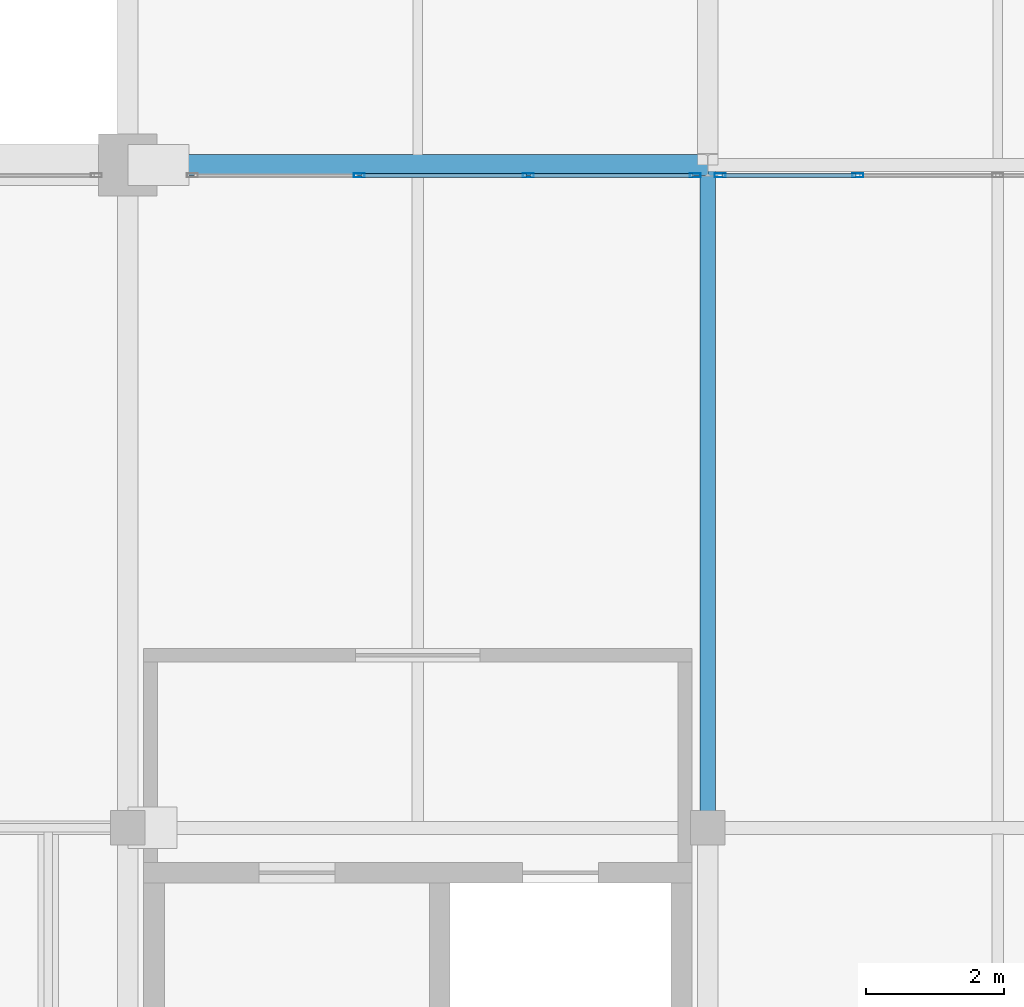
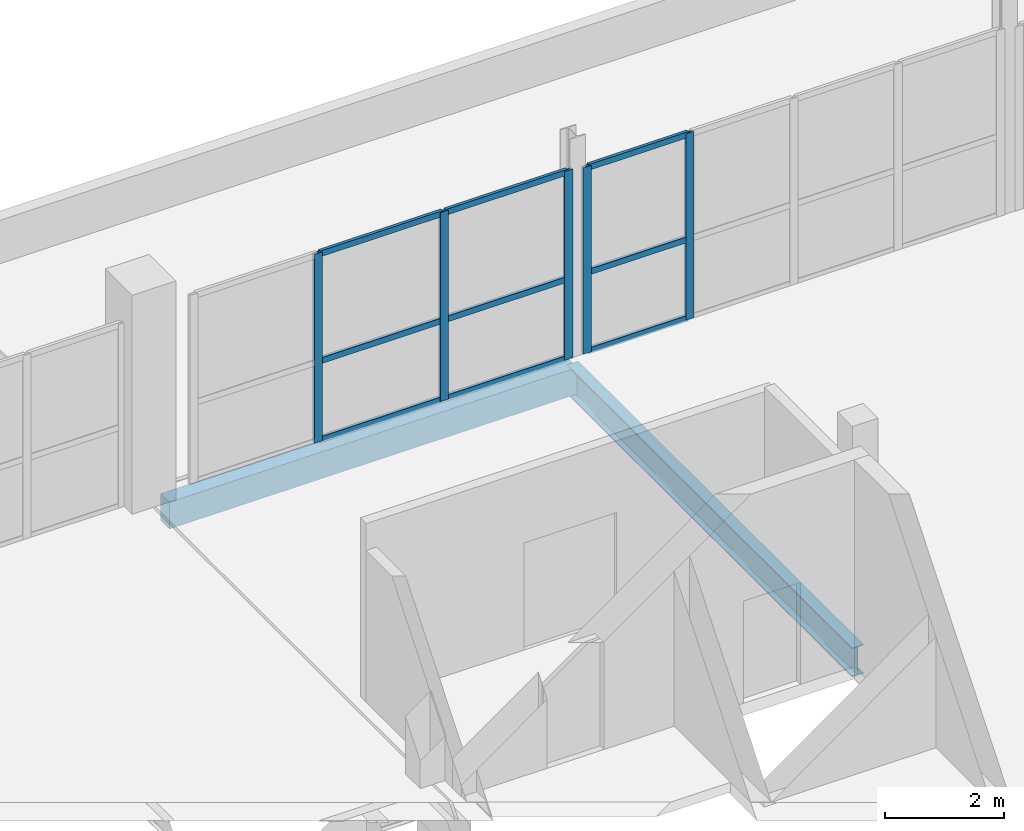
# One storey, part 50 of 103: 14 members, 2 beams, 2 elements without a shape of their own.
"""IFC4 building model written with IfcOpenShell, lengths in metres."""

import ifcopenshell
import ifcopenshell.guid

model = None  # the IFC model being written
_history = None  # IfcOwnerHistory: only IFC2X3 demands one
_inside = {}  # id of a spatial element -> (the spatial element, [elements in it])
_under = {}  # id of a project, library or spatial element -> (it, [spatial elements below it])
_declared = {}  # id of a project -> (the project, [libraries it declares])
_typed = {}  # id of a type object -> (the type object, [elements of that type])
_made_of = {}  # id of a material, layer set ... -> (it, [elements and type objects made of it])


def new_model(schema):
    """Start an empty IFC model of exactly this schema.

    Asked for "IFC4X3", IfcOpenShell would pick the latest addendum, in which some entities
    have other attributes; the version numbers below select the first issue.
    IFC2X3 requires an IfcOwnerHistory on every rooted entity: one is made here for all.
    """
    global model, _history
    if schema == "IFC4X3":
        model = ifcopenshell.file(schema_version=(4, 3, 0, 0))
    else:
        model = ifcopenshell.file(schema=schema)
    _inside.clear()
    _under.clear()
    _declared.clear()
    _typed.clear()
    _made_of.clear()
    _history = None
    if model.schema == "IFC2X3":
        org = make("IfcOrganization", Name="unknown")
        user = make(
            "IfcPersonAndOrganization",
            ThePerson=make("IfcPerson", FamilyName="unknown"),
            TheOrganization=org,
        )
        app = make(
            "IfcApplication",
            ApplicationDeveloper=org,
            Version="unknown",
            ApplicationFullName="unknown",
            ApplicationIdentifier="unknown",
        )
        _history = make(
            "IfcOwnerHistory",
            OwningUser=user,
            OwningApplication=app,
            ChangeAction="ADDED",
            CreationDate=0,
        )
    return model


def make(cls, **values):
    """One entity of the class cls with the attributes given. An attribute that is None is left unset."""
    return model.create_entity(
        cls, **{name: value for name, value in values.items() if value is not None}
    )


def rooted(cls, **values):
    """An entity with a GlobalId (a new one), such as an element, a storey or a relation."""
    return make(cls, GlobalId=ifcopenshell.guid.new(), OwnerHistory=_history, **values)


def si_unit(unit_type, name, prefix=None):
    """IfcSIUnit, for example si_unit("LENGTHUNIT", "METRE", prefix="MILLI")."""
    return make("IfcSIUnit", UnitType=unit_type, Prefix=prefix, Name=name)


def assignment(units):
    """IfcUnitAssignment: the units of a project."""
    return None if units is None else make("IfcUnitAssignment", Units=units)


def point(xyz):
    """IfcCartesianPoint."""
    return None if xyz is None else make("IfcCartesianPoint", Coordinates=xyz)


def direction(xyz):
    """IfcDirection."""
    return None if xyz is None else make("IfcDirection", DirectionRatios=xyz)


def frame(location, z_axis=None, x_axis=None):
    """IfcAxis2Placement3D, a coordinate frame: its origin and axes. An axis left out is left unset."""
    return make(
        "IfcAxis2Placement3D",
        Location=point(location),
        Axis=direction(z_axis),
        RefDirection=direction(x_axis),
    )


def frame_2d(location, x_axis=None):
    """IfcAxis2Placement2D, a coordinate frame in the plane: its origin and x axis."""
    return make(
        "IfcAxis2Placement2D", Location=point(location), RefDirection=direction(x_axis)
    )


def origin():
    """The frame at (0, 0, 0) with its axes left unset."""
    return frame((0.0, 0.0, 0.0))


def origin_2d():
    """The frame at (0, 0) in the plane with its x axis left unset."""
    return frame_2d((0.0, 0.0))


def place(relative_to, where):
    """IfcLocalPlacement: puts the frame where relative to a parent placement (None: the world)."""
    return make(
        "IfcLocalPlacement", PlacementRelTo=relative_to, RelativePlacement=where
    )


def context(
    kind, dimensions, precision=None, world=None, true_north=None, identifier=None
):
    """IfcGeometricRepresentationContext, for example the 3D "Model" context."""
    return make(
        "IfcGeometricRepresentationContext",
        ContextIdentifier=identifier,
        ContextType=kind,
        CoordinateSpaceDimension=dimensions,
        Precision=precision,
        WorldCoordinateSystem=world,
        TrueNorth=true_north,
    )


def subcontext(parent, identifier, kind, view, scale=None):
    """IfcGeometricRepresentationSubContext, for example "Body" below "Model"."""
    return make(
        "IfcGeometricRepresentationSubContext",
        ContextIdentifier=identifier,
        ContextType=kind,
        ParentContext=parent,
        TargetScale=scale,
        TargetView=view,
    )


def project(units=None, contexts=None):
    """IfcProject with its units and contexts."""
    return rooted(
        "IfcProject",
        Name="project",
        RepresentationContexts=contexts,
        UnitsInContext=assignment(units),
    )


def spatial(cls, under=None, at=None, **own):
    """A site, building, storey or space (cls), placed at a placement, below another one or the project."""
    s = rooted(cls, ObjectPlacement=at, **own)
    if under is not None:
        _under.setdefault(under.id(), (under, []))[1].append(s)
    return s


def profile(cls, at=None, kind="AREA", **sizes):
    """A parametric profile (cls). Its sizes go by their IFC names, for example OverallWidth=200.0."""
    return make(cls, ProfileType=kind, Position=at, **sizes)


def rectangle(**sizes):
    """IfcRectangleProfileDef."""
    return profile("IfcRectangleProfileDef", **sizes)


def hollow_rectangle(**sizes):
    """IfcRectangleHollowProfileDef."""
    return profile("IfcRectangleHollowProfileDef", **sizes)


def i_section(**sizes):
    """IfcIShapeProfileDef."""
    return profile("IfcIShapeProfileDef", **sizes)


def extrude(swept, where, along, depth):
    """IfcExtrudedAreaSolid: the profile swept, set in the frame where, extruded along a direction by depth."""
    return make(
        "IfcExtrudedAreaSolid",
        SweptArea=swept,
        Position=where,
        ExtrudedDirection=direction(along),
        Depth=depth,
    )


def shape(context_of_items, identifier, shape_type, items):
    """IfcShapeRepresentation: the items that make up one representation, for example the "Body"."""
    return make(
        "IfcShapeRepresentation",
        ContextOfItems=context_of_items,
        RepresentationIdentifier=identifier,
        RepresentationType=shape_type,
        Items=items,
    )


def material(Name=None, Category=None):
    """IfcMaterial."""
    return make("IfcMaterial", Name=Name, Category=Category)


def material_profile(
    of_material, cross_section, Name=None, Category=None, Priority=None
):
    """IfcMaterialProfile: a cross section and its material."""
    return make(
        "IfcMaterialProfile",
        Name=Name,
        Material=of_material,
        Profile=cross_section,
        Priority=Priority,
        Category=Category,
    )


def profile_set(profiles, Name=None, composite=None):
    """IfcMaterialProfileSet."""
    return make(
        "IfcMaterialProfileSet",
        Name=Name,
        MaterialProfiles=profiles,
        CompositeProfile=composite,
    )


def made_of(thing, what):
    """Note that an element or type object is made of a material, layer set ...; save() writes the relation."""
    if what is not None:
        _made_of.setdefault(what.id(), (what, []))[1].append(thing)
    return thing


def type_object(cls, material=None, **own):
    """A type object (cls), such as IfcWallType, which elements share."""
    return made_of(rooted(cls, **own), material)


def element(
    cls,
    number,
    at=None,
    inside=None,
    cuts=None,
    type_object=None,
    material=None,
    context=None,
    identifier="Body",
    shape_type=None,
    held_by="IfcProductDefinitionShape",
    body=None,
    shapes=None,
    **own,
):
    """One element of the class cls, such as IfcWall. Its Tag is "e" and its number.

    at: its placement. inside: the storey or other place that contains it. cuts: it is an
    opening in that element (IfcRelVoidsElement). A single representation is given by context,
    identifier, shape_type and body (its items); several are given by shapes. held_by: the class
    of the entity that holds the representations. save() writes the other relations.
    """
    e = rooted(cls, Tag="e%d" % number, ObjectPlacement=at, **own)
    if body is not None:
        shapes = [shape(context, identifier, shape_type, body)]
    if shapes is not None:
        e.Representation = make(held_by, Representations=shapes)
    if inside is not None:
        _inside.setdefault(inside.id(), (inside, []))[1].append(e)
    if cuts is not None:
        rooted(
            "IfcRelVoidsElement", RelatingBuildingElement=cuts, RelatedOpeningElement=e
        )
    if type_object is not None:
        _typed.setdefault(type_object.id(), (type_object, []))[1].append(e)
    return made_of(e, material)


def aggregate(whole, parts):
    """IfcRelAggregates: a whole, such as a stair, and the parts it consists of."""
    return rooted("IfcRelAggregates", RelatingObject=whole, RelatedObjects=parts)


def save(model, path):
    """Write the relations noted so far, then the file.

    IfcRelAggregates (storeys below a building ...), IfcRelContainedInSpatialStructure (elements
    in a storey), IfcRelDefinesByType, IfcRelAssociatesMaterial and IfcRelDeclares: one each for
    every whole, place, type object, material and project.
    """
    for whole, parts in _under.values():
        aggregate(whole, parts)
    for where, things in _inside.values():
        rooted(
            "IfcRelContainedInSpatialStructure",
            RelatedElements=things,
            RelatingStructure=where,
        )
    for kind, things in _typed.values():
        rooted("IfcRelDefinesByType", RelatedObjects=things, RelatingType=kind)
    for what, things in _made_of.values():
        rooted("IfcRelAssociatesMaterial", RelatedObjects=things, RelatingMaterial=what)
    for by, libraries in _declared.values():
        rooted("IfcRelDeclares", RelatingContext=by, RelatedDefinitions=libraries)
    model.write(path)


model = new_model("IFC4")

# Units and contexts
model_context = context("Model", 3, precision=1e-05, world=origin(), true_north=direction((0.0, 1.0)))
body_context = subcontext(model_context, "Body", "Model", "MODEL_VIEW")
ifc_project = project(units=[si_unit("LENGTHUNIT", "METRE"), si_unit("AREAUNIT", "SQUARE_METRE"), si_unit("VOLUMEUNIT", "CUBIC_METRE"), si_unit("PLANEANGLEUNIT", "RADIAN"), si_unit("MASSUNIT", "GRAM", prefix="KILO")], contexts=[model_context])

# Site, building, storey
site_placement = place(None, origin())
site = spatial("IfcSite", under=ifc_project, at=site_placement, CompositionType="ELEMENT")
building_placement = place(site_placement, origin())
building = spatial("IfcBuilding", under=site, at=building_placement, Name="Veltarok Museum of Natural Sciences", CompositionType="ELEMENT")
storey_placement = place(building_placement, frame((0.0, 0.0, 21.89990234375)))
storey = spatial("IfcBuildingStorey", under=building, at=storey_placement, Name="L04", CompositionType="ELEMENT", Elevation=21.89990234375)

# Curtain wall, members
ifc_material_1 = material(Name="Low-iron triple insulated glass", Category="glass")
curtain_wall_type_1 = type_object("IfcCurtainWallType", Name="Curtain Wall System CW-V5CN4-L04-0-734x388 (CW-V5CN4 L04 734x388cm)", PredefinedType="NOTDEFINED", material=ifc_material_1)
curtain_wall_1_placement = place(storey_placement, origin())
curtain_wall_1 = element("IfcCurtainWall", 1, at=curtain_wall_1_placement, inside=storey, type_object=curtain_wall_type_1, Name="Curtain Wall CW-V5CN4-L04-0-734x388 CW-0196", PredefinedType="NOTDEFINED")
ifc_material_2 = material(Name="Thermally broken anodised aluminium", Category="aluminium")
ifc_material_profile_1 = material_profile(ifc_material_2, hollow_rectangle(XDim=0.06005859375, YDim=0.1201171875, WallThickness=0.0048828125, at=origin_2d()), Name="CW TRANSOM 60x120x5")
ifc_profile_set_1 = profile_set([ifc_material_profile_1], Name="Thermally broken anodised aluminium")
member_type_1 = type_object("IfcMemberType", Name="Curtain Wall Horizontal Transom 60x120x5", PredefinedType="USERDEFINED", material=ifc_profile_set_1)
member_1_placement = place(storey_placement, frame((115.389892578125, 19.050048828125, 0.028076171875), z_axis=(-1.0, 0.0, 0.0), x_axis=(0.0, -1.0, 0.0)))
member_1 = element("IfcMember", 2, at=member_1_placement, type_object=member_type_1, Name="CW-V5CN4-L04-0-734x388 transom 1.1", ObjectType="TRANSOM", PredefinedType="USERDEFINED", context=body_context, shape_type="SweptSolid", body=[
    extrude(hollow_rectangle(XDim=0.06005859375, YDim=0.1201171875, WallThickness=0.0048828125, at=origin_2d()), origin(), (0.0, 0.0, 1.0), 2.358154296875),
])
member_2_placement = place(storey_placement, frame((115.389892578125, 19.050048828125, 1.648193359375), z_axis=(-1.0, 0.0, 0.0), x_axis=(0.0, -1.0, 0.0)))
member_2 = element("IfcMember", 3, at=member_2_placement, type_object=member_type_1, Name="CW-V5CN4-L04-0-734x388 transom 1.2", ObjectType="TRANSOM", PredefinedType="USERDEFINED", context=body_context, shape_type="SweptSolid", body=[
    extrude(hollow_rectangle(XDim=0.06005859375, YDim=0.1201171875, WallThickness=0.0048828125, at=origin_2d()), origin(), (0.0, 0.0, 1.0), 2.358154296875),
])
member_3_placement = place(storey_placement, frame((115.389892578125, 19.050048828125, 3.85009765625), z_axis=(-1.0, 0.0, 0.0), x_axis=(0.0, -1.0, 0.0)))
member_3 = element("IfcMember", 4, at=member_3_placement, type_object=member_type_1, Name="CW-V5CN4-L04-0-734x388 transom 1.3", ObjectType="TRANSOM", PredefinedType="USERDEFINED", context=body_context, shape_type="SweptSolid", body=[
    extrude(hollow_rectangle(XDim=0.06005859375, YDim=0.1201171875, WallThickness=0.0048828125, at=origin_2d()), origin(), (0.0, 0.0, 1.0), 2.358154296875),
])
member_4_placement = place(storey_placement, frame((112.9716796875, 19.050048828125, 0.028076171875), z_axis=(-1.0, 0.0, 0.0), x_axis=(0.0, -1.0, 0.0)))
member_4 = element("IfcMember", 5, at=member_4_placement, type_object=member_type_1, Name="CW-V5CN4-L04-0-734x388 transom 2.1", ObjectType="TRANSOM", PredefinedType="USERDEFINED", context=body_context, shape_type="SweptSolid", body=[
    extrude(hollow_rectangle(XDim=0.06005859375, YDim=0.1201171875, WallThickness=0.0048828125, at=origin_2d()), origin(), (0.0, 0.0, 1.0), 2.388427734375),
])
member_5_placement = place(storey_placement, frame((112.9716796875, 19.050048828125, 1.648193359375), z_axis=(-1.0, 0.0, 0.0), x_axis=(0.0, -1.0, 0.0)))
member_5 = element("IfcMember", 6, at=member_5_placement, type_object=member_type_1, Name="CW-V5CN4-L04-0-734x388 transom 2.2", ObjectType="TRANSOM", PredefinedType="USERDEFINED", context=body_context, shape_type="SweptSolid", body=[
    extrude(hollow_rectangle(XDim=0.06005859375, YDim=0.1201171875, WallThickness=0.0048828125, at=origin_2d()), origin(), (0.0, 0.0, 1.0), 2.388427734375),
])
member_6_placement = place(storey_placement, frame((112.9716796875, 19.050048828125, 3.85009765625), z_axis=(-1.0, 0.0, 0.0), x_axis=(0.0, -1.0, 0.0)))
member_6 = element("IfcMember", 7, at=member_6_placement, type_object=member_type_1, Name="CW-V5CN4-L04-0-734x388 transom 2.3", ObjectType="TRANSOM", PredefinedType="USERDEFINED", context=body_context, shape_type="SweptSolid", body=[
    extrude(hollow_rectangle(XDim=0.06005859375, YDim=0.1201171875, WallThickness=0.0048828125, at=origin_2d()), origin(), (0.0, 0.0, 1.0), 2.388427734375),
])

curtain_wall_type_2 = type_object("IfcCurtainWallType", Name="Curtain Wall System CW-V5CN4-L04-1-810x383 (CW-V5CN4 L04 810x383cm)", PredefinedType="NOTDEFINED", material=ifc_material_1)
curtain_wall_2_placement = place(storey_placement, origin())
curtain_wall_2 = element("IfcCurtainWall", 8, at=curtain_wall_2_placement, inside=storey, type_object=curtain_wall_type_2, Name="Curtain Wall CW-V5CN4-L04-1-810x383 CW-0197", PredefinedType="NOTDEFINED")
member_7_placement = place(storey_placement, frame((117.7451171875, 19.050048828125, 0.028076171875), z_axis=(-1.0, 0.0, 0.0), x_axis=(0.0, -1.0, 0.0)))
member_7 = element("IfcMember", 9, at=member_7_placement, type_object=member_type_1, Name="CW-V5CN4-L04-1-810x383 transom 4.1", ObjectType="TRANSOM", PredefinedType="USERDEFINED", context=body_context, shape_type="SweptSolid", body=[
    extrude(hollow_rectangle(XDim=0.06005859375, YDim=0.1201171875, WallThickness=0.0048828125, at=origin_2d()), origin(), (0.0, 0.0, 1.0), 1.93505859375),
])
member_8_placement = place(storey_placement, frame((117.7451171875, 19.050048828125, 1.648193359375), z_axis=(-1.0, 0.0, 0.0), x_axis=(0.0, -1.0, 0.0)))
member_8 = element("IfcMember", 10, at=member_8_placement, type_object=member_type_1, Name="CW-V5CN4-L04-1-810x383 transom 4.2", ObjectType="TRANSOM", PredefinedType="USERDEFINED", context=body_context, shape_type="SweptSolid", body=[
    extrude(hollow_rectangle(XDim=0.06005859375, YDim=0.1201171875, WallThickness=0.0048828125, at=origin_2d()), origin(), (0.0, 0.0, 1.0), 1.93505859375),
])
member_9_placement = place(storey_placement, frame((117.7451171875, 19.050048828125, 3.800048828125), z_axis=(-1.0, 0.0, 0.0), x_axis=(0.0, -1.0, 0.0)))
member_9 = element("IfcMember", 11, at=member_9_placement, type_object=member_type_1, Name="CW-V5CN4-L04-1-810x383 transom 4.3", ObjectType="TRANSOM", PredefinedType="USERDEFINED", context=body_context, shape_type="SweptSolid", body=[
    extrude(hollow_rectangle(XDim=0.06005859375, YDim=0.1201171875, WallThickness=0.0048828125, at=origin_2d()), origin(), (0.0, 0.0, 1.0), 1.93505859375),
])

# Member
ifc_material_profile_2 = material_profile(ifc_material_2, hollow_rectangle(XDim=0.06005859375, YDim=0.159912109375, WallThickness=0.0048828125, at=origin_2d()), Name="CW MULLION 60x160x5")
ifc_profile_set_2 = profile_set([ifc_material_profile_2], Name="Thermally broken anodised aluminium")
member_type_2 = type_object("IfcMemberType", Name="Curtain Wall Vertical Mullion 60x160x5", PredefinedType="MULLION", material=ifc_profile_set_2)
member_10_placement = place(storey_placement, frame((115.419921875, 19.050048828125, -0.001953125), z_axis=(0.0, 0.0, 1.0), x_axis=(0.0, -1.0, 0.0)))
member_10 = element("IfcMember", 12, at=member_10_placement, type_object=member_type_2, Name="CW-V5CN4-L04-0-734x388 mullion 1", PredefinedType="MULLION", context=body_context, shape_type="SweptSolid", body=[
    extrude(hollow_rectangle(XDim=0.06005859375, YDim=0.159912109375, WallThickness=0.0048828125, at=origin_2d()), origin(), (0.0, 0.0, 1.0), 3.882080078125),
])

member_11_placement = place(storey_placement, frame((113.001708984375, 19.050048828125, -0.001953125), z_axis=(0.0, 0.0, 1.0), x_axis=(0.0, -1.0, 0.0)))
member_11 = element("IfcMember", 13, at=member_11_placement, type_object=member_type_2, Name="CW-V5CN4-L04-0-734x388 mullion 2", PredefinedType="MULLION", context=body_context, shape_type="SweptSolid", body=[
    extrude(hollow_rectangle(XDim=0.06005859375, YDim=0.159912109375, WallThickness=0.0048828125, at=origin_2d()), origin(), (0.0, 0.0, 1.0), 3.882080078125),
])

member_12_placement = place(storey_placement, frame((110.55322265625, 19.050048828125, -0.001953125), z_axis=(0.0, 0.0, 1.0), x_axis=(0.0, -1.0, 0.0)))
member_12 = element("IfcMember", 14, at=member_12_placement, type_object=member_type_2, Name="CW-V5CN4-L04-0-734x388 mullion 3", PredefinedType="MULLION", context=body_context, shape_type="SweptSolid", body=[
    extrude(hollow_rectangle(XDim=0.06005859375, YDim=0.159912109375, WallThickness=0.0048828125, at=origin_2d()), origin(), (0.0, 0.0, 1.0), 3.882080078125),
])

aggregate(curtain_wall_1, [member_10, member_11, member_12, member_1, member_2, member_3, member_4, member_5, member_6])

member_13_placement = place(storey_placement, frame((117.77490234375, 19.050048828125, -0.001953125), z_axis=(0.0, 0.0, 1.0), x_axis=(0.0, -1.0, 0.0)))
member_13 = element("IfcMember", 15, at=member_13_placement, type_object=member_type_2, Name="CW-V5CN4-L04-1-810x383 mullion 4", PredefinedType="MULLION", context=body_context, shape_type="SweptSolid", body=[
    extrude(hollow_rectangle(XDim=0.06005859375, YDim=0.159912109375, WallThickness=0.0048828125, at=origin_2d()), origin(), (0.0, 0.0, 1.0), 3.83203125),
])

member_14_placement = place(storey_placement, frame((115.780029296875, 19.050048828125, -0.001953125), z_axis=(0.0, 0.0, 1.0), x_axis=(0.0, -1.0, 0.0)))
member_14 = element("IfcMember", 16, at=member_14_placement, type_object=member_type_2, Name="CW-V5CN4-L04-1-810x383 mullion 5", PredefinedType="MULLION", context=body_context, shape_type="SweptSolid", body=[
    extrude(hollow_rectangle(XDim=0.06005859375, YDim=0.159912109375, WallThickness=0.0048828125, at=origin_2d()), origin(), (0.0, 0.0, 1.0), 3.83203125),
])

aggregate(curtain_wall_2, [member_13, member_14, member_7, member_8, member_9])

# Beams
ifc_material_3 = material(Name="Precast concrete C40/50", Category="concrete")
ifc_material_profile_3 = material_profile(ifc_material_3, rectangle(XDim=0.300048828125, YDim=0.550048828125, at=origin_2d()), Name="RC 300x550")
ifc_profile_set_3 = profile_set([ifc_material_profile_3], Name="Precast concrete C40/50")
beam_type_1 = type_object("IfcBeamType", Name="East Wing Precast Spandrel RC 300x550", PredefinedType="SPANDREL", material=ifc_profile_set_3)
beam_1_placement = place(storey_placement, frame((107.675048828125, 19.199951171875, -0.52490234375), z_axis=(1.0, 0.0, 0.0), x_axis=(0.0, 1.0, 0.0)))
element("IfcBeam", 17, at=beam_1_placement, inside=storey, type_object=beam_type_1, Name="Beam BM-SP02 L04 13-14/C", PredefinedType="SPANDREL", context=body_context, shape_type="SweptSolid", body=[
    extrude(rectangle(XDim=0.300048828125, YDim=0.550048828125, at=origin_2d()), origin(), (0.0, 0.0, 1.0), 7.925048828125),
])
ifc_material_4 = material(Name="Steel S355J2", Category="steel")
ifc_material_profile_4 = material_profile(ifc_material_4, i_section(OverallWidth=0.219970703125, OverallDepth=0.60009765625, WebThickness=0.011962890625, FlangeThickness=0.01904296875, FilletRadius=0.02392578125, at=origin_2d()), Name="IPE 600")
ifc_profile_set_4 = profile_set([ifc_material_profile_4], Name="Steel S355J2")
beam_type_2 = type_object("IfcBeamType", Name="Primary Museum Girder IPE 600", PredefinedType="BEAM", material=ifc_profile_set_4)
beam_2_placement = place(storey_placement, frame((115.60009765625, 9.60009765625, -0.5498046875), z_axis=(0.0, 1.0, 0.0), x_axis=(-1.0, 0.0, 0.0)))
element("IfcBeam", 18, at=beam_2_placement, inside=storey, type_object=beam_type_2, Name="Beam BM-G02 L04 14/B-C", PredefinedType="BEAM", context=body_context, shape_type="SweptSolid", body=[
    extrude(i_section(OverallWidth=0.219970703125, OverallDepth=0.60009765625, WebThickness=0.011962890625, FlangeThickness=0.01904296875, FilletRadius=0.02392578125, at=origin_2d()), origin(), (0.0, 0.0, 1.0), 9.599853515625),
])

save(model, "model.ifc")
